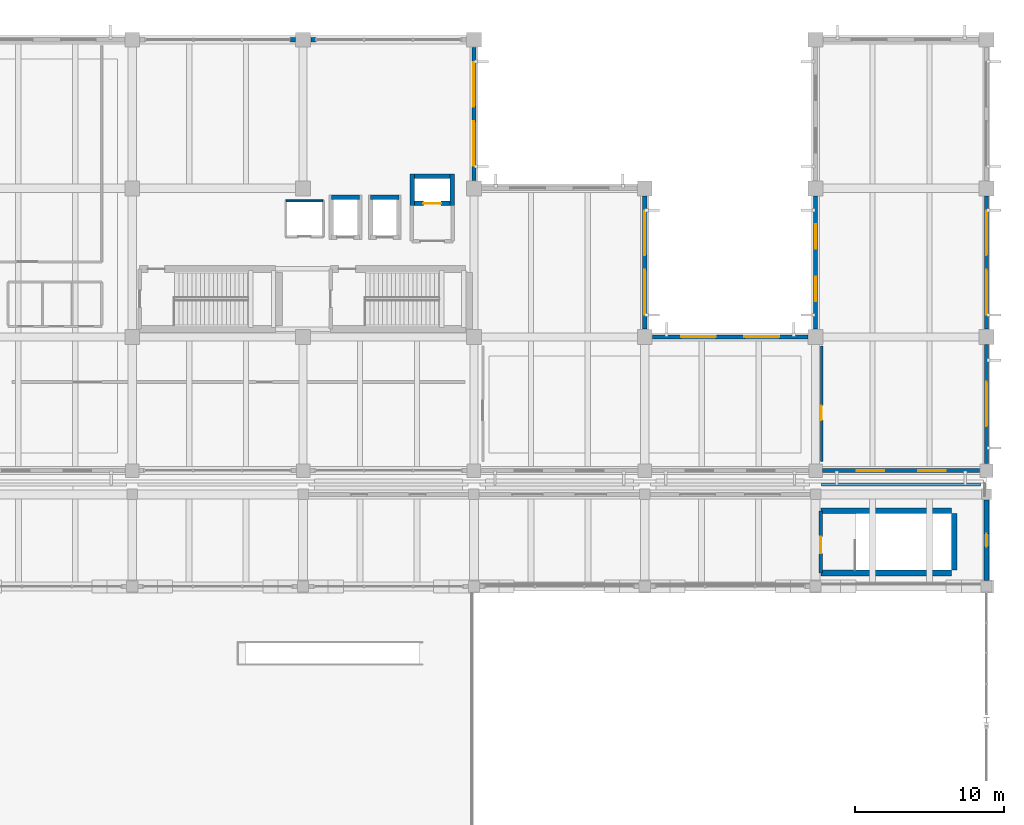
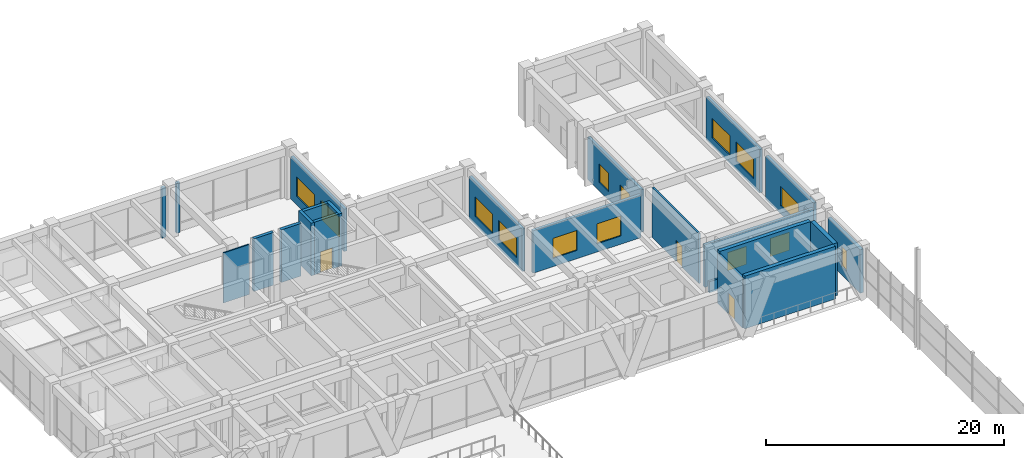
# One storey, part 133 of 148: 23 walls, 14 windows, 3 doors, 17 openings.
"""IFC4 building model written with IfcOpenShell, lengths in metres."""

import ifcopenshell
import ifcopenshell.guid

model = None  # the IFC model being written
_history = None  # IfcOwnerHistory: only IFC2X3 demands one
_inside = {}  # id of a spatial element -> (the spatial element, [elements in it])
_under = {}  # id of a project, library or spatial element -> (it, [spatial elements below it])
_declared = {}  # id of a project -> (the project, [libraries it declares])
_typed = {}  # id of a type object -> (the type object, [elements of that type])
_made_of = {}  # id of a material, layer set ... -> (it, [elements and type objects made of it])


def new_model(schema):
    """Start an empty IFC model of exactly this schema.

    Asked for "IFC4X3", IfcOpenShell would pick the latest addendum, in which some entities
    have other attributes; the version numbers below select the first issue.
    IFC2X3 requires an IfcOwnerHistory on every rooted entity: one is made here for all.
    """
    global model, _history
    if schema == "IFC4X3":
        model = ifcopenshell.file(schema_version=(4, 3, 0, 0))
    else:
        model = ifcopenshell.file(schema=schema)
    _inside.clear()
    _under.clear()
    _declared.clear()
    _typed.clear()
    _made_of.clear()
    _history = None
    if model.schema == "IFC2X3":
        org = make("IfcOrganization", Name="unknown")
        user = make(
            "IfcPersonAndOrganization",
            ThePerson=make("IfcPerson", FamilyName="unknown"),
            TheOrganization=org,
        )
        app = make(
            "IfcApplication",
            ApplicationDeveloper=org,
            Version="unknown",
            ApplicationFullName="unknown",
            ApplicationIdentifier="unknown",
        )
        _history = make(
            "IfcOwnerHistory",
            OwningUser=user,
            OwningApplication=app,
            ChangeAction="ADDED",
            CreationDate=0,
        )
    return model


def make(cls, **values):
    """One entity of the class cls with the attributes given. An attribute that is None is left unset."""
    return model.create_entity(
        cls, **{name: value for name, value in values.items() if value is not None}
    )


def rooted(cls, **values):
    """An entity with a GlobalId (a new one), such as an element, a storey or a relation."""
    return make(cls, GlobalId=ifcopenshell.guid.new(), OwnerHistory=_history, **values)


def si_unit(unit_type, name, prefix=None):
    """IfcSIUnit, for example si_unit("LENGTHUNIT", "METRE", prefix="MILLI")."""
    return make("IfcSIUnit", UnitType=unit_type, Prefix=prefix, Name=name)


def assignment(units):
    """IfcUnitAssignment: the units of a project."""
    return None if units is None else make("IfcUnitAssignment", Units=units)


def point(xyz):
    """IfcCartesianPoint."""
    return None if xyz is None else make("IfcCartesianPoint", Coordinates=xyz)


def direction(xyz):
    """IfcDirection."""
    return None if xyz is None else make("IfcDirection", DirectionRatios=xyz)


def frame(location, z_axis=None, x_axis=None):
    """IfcAxis2Placement3D, a coordinate frame: its origin and axes. An axis left out is left unset."""
    return make(
        "IfcAxis2Placement3D",
        Location=point(location),
        Axis=direction(z_axis),
        RefDirection=direction(x_axis),
    )


def frame_2d(location, x_axis=None):
    """IfcAxis2Placement2D, a coordinate frame in the plane: its origin and x axis."""
    return make(
        "IfcAxis2Placement2D", Location=point(location), RefDirection=direction(x_axis)
    )


def origin():
    """The frame at (0, 0, 0) with its axes left unset."""
    return frame((0.0, 0.0, 0.0))


def place(relative_to, where):
    """IfcLocalPlacement: puts the frame where relative to a parent placement (None: the world)."""
    return make(
        "IfcLocalPlacement", PlacementRelTo=relative_to, RelativePlacement=where
    )


def context(
    kind, dimensions, precision=None, world=None, true_north=None, identifier=None
):
    """IfcGeometricRepresentationContext, for example the 3D "Model" context."""
    return make(
        "IfcGeometricRepresentationContext",
        ContextIdentifier=identifier,
        ContextType=kind,
        CoordinateSpaceDimension=dimensions,
        Precision=precision,
        WorldCoordinateSystem=world,
        TrueNorth=true_north,
    )


def subcontext(parent, identifier, kind, view, scale=None):
    """IfcGeometricRepresentationSubContext, for example "Body" below "Model"."""
    return make(
        "IfcGeometricRepresentationSubContext",
        ContextIdentifier=identifier,
        ContextType=kind,
        ParentContext=parent,
        TargetScale=scale,
        TargetView=view,
    )


def project(units=None, contexts=None):
    """IfcProject with its units and contexts."""
    return rooted(
        "IfcProject",
        Name="project",
        RepresentationContexts=contexts,
        UnitsInContext=assignment(units),
    )


def spatial(cls, under=None, at=None, **own):
    """A site, building, storey or space (cls), placed at a placement, below another one or the project."""
    s = rooted(cls, ObjectPlacement=at, **own)
    if under is not None:
        _under.setdefault(under.id(), (under, []))[1].append(s)
    return s


def profile(cls, at=None, kind="AREA", **sizes):
    """A parametric profile (cls). Its sizes go by their IFC names, for example OverallWidth=200.0."""
    return make(cls, ProfileType=kind, Position=at, **sizes)


def rectangle(**sizes):
    """IfcRectangleProfileDef."""
    return profile("IfcRectangleProfileDef", **sizes)


def extrude(swept, where, along, depth):
    """IfcExtrudedAreaSolid: the profile swept, set in the frame where, extruded along a direction by depth."""
    return make(
        "IfcExtrudedAreaSolid",
        SweptArea=swept,
        Position=where,
        ExtrudedDirection=direction(along),
        Depth=depth,
    )


def shape(context_of_items, identifier, shape_type, items):
    """IfcShapeRepresentation: the items that make up one representation, for example the "Body"."""
    return make(
        "IfcShapeRepresentation",
        ContextOfItems=context_of_items,
        RepresentationIdentifier=identifier,
        RepresentationType=shape_type,
        Items=items,
    )


def material(Name=None, Category=None):
    """IfcMaterial."""
    return make("IfcMaterial", Name=Name, Category=Category)


def layer(
    of_material, thickness, ventilated=None, Name=None, Category=None, Priority=None
):
    """IfcMaterialLayer: one layer of a wall or slab, of a material (None: an air gap)."""
    return make(
        "IfcMaterialLayer",
        Material=of_material,
        LayerThickness=thickness,
        IsVentilated=ventilated,
        Name=Name,
        Category=Category,
        Priority=Priority,
    )


def layer_set(layers, Name=None):
    """IfcMaterialLayerSet."""
    return make("IfcMaterialLayerSet", MaterialLayers=layers, LayerSetName=Name)


def made_of(thing, what):
    """Note that an element or type object is made of a material, layer set ...; save() writes the relation."""
    if what is not None:
        _made_of.setdefault(what.id(), (what, []))[1].append(thing)
    return thing


def type_object(cls, material=None, **own):
    """A type object (cls), such as IfcWallType, which elements share."""
    return made_of(rooted(cls, **own), material)


def element(
    cls,
    number,
    at=None,
    inside=None,
    cuts=None,
    type_object=None,
    material=None,
    context=None,
    identifier="Body",
    shape_type=None,
    held_by="IfcProductDefinitionShape",
    body=None,
    shapes=None,
    **own,
):
    """One element of the class cls, such as IfcWall. Its Tag is "e" and its number.

    at: its placement. inside: the storey or other place that contains it. cuts: it is an
    opening in that element (IfcRelVoidsElement). A single representation is given by context,
    identifier, shape_type and body (its items); several are given by shapes. held_by: the class
    of the entity that holds the representations. save() writes the other relations.
    """
    e = rooted(cls, Tag="e%d" % number, ObjectPlacement=at, **own)
    if body is not None:
        shapes = [shape(context, identifier, shape_type, body)]
    if shapes is not None:
        e.Representation = make(held_by, Representations=shapes)
    if inside is not None:
        _inside.setdefault(inside.id(), (inside, []))[1].append(e)
    if cuts is not None:
        rooted(
            "IfcRelVoidsElement", RelatingBuildingElement=cuts, RelatedOpeningElement=e
        )
    if type_object is not None:
        _typed.setdefault(type_object.id(), (type_object, []))[1].append(e)
    return made_of(e, material)


def fill(opening, filler):
    """IfcRelFillsElement: the door or window that sits in an opening."""
    return rooted(
        "IfcRelFillsElement",
        RelatingOpeningElement=opening,
        RelatedBuildingElement=filler,
    )


def aggregate(whole, parts):
    """IfcRelAggregates: a whole, such as a stair, and the parts it consists of."""
    return rooted("IfcRelAggregates", RelatingObject=whole, RelatedObjects=parts)


def save(model, path):
    """Write the relations noted so far, then the file.

    IfcRelAggregates (storeys below a building ...), IfcRelContainedInSpatialStructure (elements
    in a storey), IfcRelDefinesByType, IfcRelAssociatesMaterial and IfcRelDeclares: one each for
    every whole, place, type object, material and project.
    """
    for whole, parts in _under.values():
        aggregate(whole, parts)
    for where, things in _inside.values():
        rooted(
            "IfcRelContainedInSpatialStructure",
            RelatedElements=things,
            RelatingStructure=where,
        )
    for kind, things in _typed.values():
        rooted("IfcRelDefinesByType", RelatedObjects=things, RelatingType=kind)
    for what, things in _made_of.values():
        rooted("IfcRelAssociatesMaterial", RelatedObjects=things, RelatingMaterial=what)
    for by, libraries in _declared.values():
        rooted("IfcRelDeclares", RelatingContext=by, RelatedDefinitions=libraries)
    model.write(path)


model = new_model("IFC4")

# Units and contexts
model_context = context("Model", 3, precision=1e-05, world=origin(), true_north=direction((0.0, 1.0)))
body_context = subcontext(model_context, "Body", "Model", "MODEL_VIEW")
ifc_project = project(units=[si_unit("LENGTHUNIT", "METRE"), si_unit("AREAUNIT", "SQUARE_METRE"), si_unit("VOLUMEUNIT", "CUBIC_METRE"), si_unit("PLANEANGLEUNIT", "RADIAN"), si_unit("MASSUNIT", "GRAM", prefix="KILO")], contexts=[model_context])

# Site, building, storey
site_placement = place(None, origin())
site = spatial("IfcSite", under=ifc_project, at=site_placement, CompositionType="ELEMENT")
building_placement = place(site_placement, origin())
building = spatial("IfcBuilding", under=site, at=building_placement, Name="Ologun Quay Terminus", CompositionType="ELEMENT")
storey_placement = place(building_placement, frame((0.0, 0.0, 8.39990234375)))
storey = spatial("IfcBuildingStorey", under=building, at=storey_placement, Name="L02", CompositionType="ELEMENT", Elevation=8.39990234375)

# Wall, openings, windows
ifc_material_1 = material(Name="Concrete C40/50", Category="concrete")
ifc_layer_1 = layer(ifc_material_1, 0.280029296875)
ifc_layer_set_1 = layer_set([ifc_layer_1], Name="Concrete C40/50")
wall_type_1 = type_object("IfcWallType", Name="Courtyard Wing Spandrel Concrete Wall 280", PredefinedType="SOLIDWALL", material=ifc_layer_set_1)
wall_1_placement = place(storey_placement, frame((172.969970703125, 85.800048828125, 0.0), z_axis=(0.0, 0.0, 1.0), x_axis=(1.0, 0.0, 0.0)))
wall_1 = element("IfcWall", 1, at=wall_1_placement, inside=storey, type_object=wall_type_1, Name="EW-02 Facade Wall WEW-EW-L02-6", PredefinedType="SOLIDWALL", context=body_context, shape_type="SweptSolid", body=[
    extrude(rectangle(XDim=10.56005859375, YDim=0.280029296875, at=frame_2d((5.280029296875, 0.0))), origin(), (0.0, 0.0, 1.0), 4.35009765625),
])
opening_1_placement = place(wall_1_placement, frame((2.28662109375, 0.0, 0.85009765625)))
opening_1 = element("IfcOpeningElement", 2, at=opening_1_placement, cuts=wall_1, Name="Opening WN-392", PredefinedType="OPENING", context=body_context, shape_type="SweptSolid", body=[
    extrude(rectangle(XDim=1.85009765625, YDim=1.85009765625, at=frame_2d((0.925048828125, 0.925048828125))), frame((0.0, 0.14990234375, 0.0), z_axis=(0.0, -1.0, 0.0), x_axis=(1.0, 0.0, 0.0)), (0.0, 0.0, 1.0), 0.300048828125),
])
opening_2_placement = place(wall_1_placement, frame((6.42333984375, 0.0, 0.85009765625)))
opening_2 = element("IfcOpeningElement", 3, at=opening_2_placement, cuts=wall_1, Name="Opening WN-393", PredefinedType="OPENING", context=body_context, shape_type="SweptSolid", body=[
    extrude(rectangle(XDim=1.85009765625, YDim=1.85009765625, at=frame_2d((0.925048828125, 0.925048828125))), frame((0.0, 0.14990234375, 0.0), z_axis=(0.0, -1.0, 0.0), x_axis=(1.0, 0.0, 0.0)), (0.0, 0.0, 1.0), 0.300048828125),
])
ifc_material_2 = material(Name="Glass", Category="glass")
window_type_1 = type_object("IfcWindowType", Name="SCADA Control Glazed Window 1850x1850", PartitioningType="SINGLE_PANEL", PredefinedType="WINDOW", material=ifc_material_2)
window_1_placement = place(opening_1_placement, origin())
window_1 = element("IfcWindow", 4, at=window_1_placement, inside=storey, type_object=window_type_1, Name="W-20 Window WN-392", OverallHeight=1.85009765625, OverallWidth=1.85009765625, PartitioningType="SINGLE_PANEL", PredefinedType="WINDOW", context=body_context, shape_type="SweptSolid", body=[
    extrude(rectangle(XDim=1.85009765625, YDim=1.85009765625, at=frame_2d((0.925048828125, 0.925048828125))), frame((0.0, 0.030029296875, 0.0), z_axis=(0.0, -1.0, 0.0), x_axis=(1.0, 0.0, 0.0)), (0.0, 0.0, 1.0), 0.06005859375),
])
fill(opening_1, window_1)
window_2_placement = place(opening_2_placement, origin())
window_2 = element("IfcWindow", 5, at=window_2_placement, inside=storey, type_object=window_type_1, Name="W-20 Window WN-393", OverallHeight=1.85009765625, OverallWidth=1.85009765625, PartitioningType="SINGLE_PANEL", PredefinedType="WINDOW", context=body_context, shape_type="SweptSolid", body=[
    extrude(rectangle(XDim=1.85009765625, YDim=1.85009765625, at=frame_2d((0.925048828125, 0.925048828125))), frame((0.0, 0.030029296875, 0.0), z_axis=(0.0, -1.0, 0.0), x_axis=(1.0, 0.0, 0.0)), (0.0, 0.0, 1.0), 0.06005859375),
])
fill(opening_2, window_2)

# Wall, opening, window
wall_2_placement = place(storey_placement, frame((184.0, 86.27001953125, 0.0), z_axis=(0.0, 0.0, 1.0), x_axis=(0.0, 1.0, 0.0)))
wall_2 = element("IfcWall", 6, at=wall_2_placement, inside=storey, type_object=wall_type_1, Name="EW-02 Facade Wall WEW-EW-L02-7", PredefinedType="SOLIDWALL", context=body_context, shape_type="SweptSolid", body=[
    extrude(rectangle(XDim=8.010009765625, YDim=0.280029296875, at=frame_2d((4.0048828125, 0.0))), origin(), (0.0, 0.0, 1.0), 4.4501953125),
])
opening_3_placement = place(wall_2_placement, frame((2.5048828125, 0.0, 0.85009765625)))
opening_3 = element("IfcOpeningElement", 7, at=opening_3_placement, cuts=wall_2, Name="Opening WN-394", PredefinedType="OPENING", context=body_context, shape_type="SweptSolid", body=[
    extrude(rectangle(XDim=3.0, YDim=2.0, at=frame_2d((1.5, 1.0))), frame((0.0, 0.14990234375, 0.0), z_axis=(0.0, -1.0, 0.0), x_axis=(1.0, 0.0, 0.0)), (0.0, 0.0, 1.0), 0.300048828125),
])
ifc_material_3 = material(Name="Glass", Category="glass")
window_type_2 = type_object("IfcWindowType", Name="Station Control Observation Window 3000x2000", PartitioningType="SINGLE_PANEL", PredefinedType="WINDOW", material=ifc_material_3)
window_3_placement = place(opening_3_placement, origin())
window_3 = element("IfcWindow", 8, at=window_3_placement, inside=storey, type_object=window_type_2, Name="W-09 Window WN-394", OverallHeight=2.0, OverallWidth=3.0, PartitioningType="SINGLE_PANEL", PredefinedType="WINDOW", context=body_context, shape_type="SweptSolid", body=[
    extrude(rectangle(XDim=3.0, YDim=2.0, at=frame_2d((1.5, 1.0))), frame((0.0, 0.030029296875, 0.0), z_axis=(0.0, -1.0, 0.0), x_axis=(1.0, 0.0, 0.0)), (0.0, 0.0, 1.0), 0.06005859375),
])
fill(opening_3, window_3)

# Wall, openings, windows
wall_3_placement = place(storey_placement, frame((184.0, 95.320068359375, 0.0), z_axis=(0.0, 0.0, 1.0), x_axis=(0.0, 1.0, 0.0)))
wall_3 = element("IfcWall", 9, at=wall_3_placement, inside=storey, type_object=wall_type_1, Name="EW-02 Facade Wall WEW-EW-L02-8", PredefinedType="SOLIDWALL", context=body_context, shape_type="SweptSolid", body=[
    extrude(rectangle(XDim=8.9599609375, YDim=0.280029296875, at=frame_2d((4.47998046875, 0.0))), origin(), (0.0, 0.0, 1.0), 4.4501953125),
])
opening_4_placement = place(wall_3_placement, frame((0.98681640625, 0.0, 0.85009765625)))
opening_4 = element("IfcOpeningElement", 10, at=opening_4_placement, cuts=wall_3, Name="Opening WN-395", PredefinedType="OPENING", context=body_context, shape_type="SweptSolid", body=[
    extrude(rectangle(XDim=3.0, YDim=2.0, at=frame_2d((1.5, 1.0))), frame((0.0, 0.14990234375, 0.0), z_axis=(0.0, -1.0, 0.0), x_axis=(1.0, 0.0, 0.0)), (0.0, 0.0, 1.0), 0.300048828125),
])
opening_5_placement = place(wall_3_placement, frame((4.973388671875, 0.0, 0.85009765625)))
opening_5 = element("IfcOpeningElement", 11, at=opening_5_placement, cuts=wall_3, Name="Opening WN-396", PredefinedType="OPENING", context=body_context, shape_type="SweptSolid", body=[
    extrude(rectangle(XDim=3.0, YDim=2.0, at=frame_2d((1.5, 1.0))), frame((0.0, 0.14990234375, 0.0), z_axis=(0.0, -1.0, 0.0), x_axis=(1.0, 0.0, 0.0)), (0.0, 0.0, 1.0), 0.300048828125),
])
window_4_placement = place(opening_4_placement, origin())
window_4 = element("IfcWindow", 12, at=window_4_placement, inside=storey, type_object=window_type_2, Name="W-09 Window WN-395", OverallHeight=2.0, OverallWidth=3.0, PartitioningType="SINGLE_PANEL", PredefinedType="WINDOW", context=body_context, shape_type="SweptSolid", body=[
    extrude(rectangle(XDim=3.0, YDim=2.0, at=frame_2d((1.5, 1.0))), frame((0.0, 0.030029296875, 0.0), z_axis=(0.0, -1.0, 0.0), x_axis=(1.0, 0.0, 0.0)), (0.0, 0.0, 1.0), 0.06005859375),
])
fill(opening_4, window_4)
window_5_placement = place(opening_5_placement, origin())
window_5 = element("IfcWindow", 13, at=window_5_placement, inside=storey, type_object=window_type_2, Name="W-09 Window WN-396", OverallHeight=2.0, OverallWidth=3.0, PartitioningType="SINGLE_PANEL", PredefinedType="WINDOW", context=body_context, shape_type="SweptSolid", body=[
    extrude(rectangle(XDim=3.0, YDim=2.0, at=frame_2d((1.5, 1.0))), frame((0.0, 0.030029296875, 0.0), z_axis=(0.0, -1.0, 0.0), x_axis=(1.0, 0.0, 0.0)), (0.0, 0.0, 1.0), 0.06005859375),
])
fill(opening_5, window_5)

wall_4_placement = place(storey_placement, frame((172.5, 95.320068359375, 0.0), z_axis=(0.0, 0.0, 1.0), x_axis=(0.0, 1.0, 0.0)))
wall_4 = element("IfcWall", 14, at=wall_4_placement, inside=storey, type_object=wall_type_1, Name="EW-02 Facade Wall WEW-EW-L02-11", PredefinedType="SOLIDWALL", context=body_context, shape_type="SweptSolid", body=[
    extrude(rectangle(XDim=8.9599609375, YDim=0.280029296875, at=frame_2d((4.47998046875, 0.0))), origin(), (0.0, 0.0, 1.0), 4.35009765625),
])
opening_6_placement = place(wall_4_placement, frame((1.88671875, 0.0, 0.85009765625)))
opening_6 = element("IfcOpeningElement", 15, at=opening_6_placement, cuts=wall_4, Name="Opening WN-401", PredefinedType="OPENING", context=body_context, shape_type="SweptSolid", body=[
    extrude(rectangle(XDim=1.64990234375, YDim=1.89990234375, at=frame_2d((0.824951171875, 0.949951171875))), frame((0.0, 0.14990234375, 0.0), z_axis=(0.0, -1.0, 0.0), x_axis=(1.0, 0.0, 0.0)), (0.0, 0.0, 1.0), 0.300048828125),
])
opening_7_placement = place(wall_4_placement, frame((5.42333984375, 0.0, 0.85009765625)))
opening_7 = element("IfcOpeningElement", 16, at=opening_7_placement, cuts=wall_4, Name="Opening WN-402", PredefinedType="OPENING", context=body_context, shape_type="SweptSolid", body=[
    extrude(rectangle(XDim=1.64990234375, YDim=1.89990234375, at=frame_2d((0.824951171875, 0.949951171875))), frame((0.0, 0.14990234375, 0.0), z_axis=(0.0, -1.0, 0.0), x_axis=(1.0, 0.0, 0.0)), (0.0, 0.0, 1.0), 0.300048828125),
])
ifc_material_4 = material(Name="Glass", Category="glass")
window_type_3 = type_object("IfcWindowType", Name="Operations Admin Solar Window 1650x1900", PartitioningType="SINGLE_PANEL", PredefinedType="WINDOW", material=ifc_material_4)
window_6_placement = place(opening_6_placement, origin())
window_6 = element("IfcWindow", 17, at=window_6_placement, inside=storey, type_object=window_type_3, Name="W-21 Window WN-401", OverallHeight=1.89990234375, OverallWidth=1.64990234375, PartitioningType="SINGLE_PANEL", PredefinedType="WINDOW", context=body_context, shape_type="SweptSolid", body=[
    extrude(rectangle(XDim=1.64990234375, YDim=1.89990234375, at=frame_2d((0.824951171875, 0.949951171875))), frame((0.0, 0.030029296875, 0.0), z_axis=(0.0, -1.0, 0.0), x_axis=(1.0, 0.0, 0.0)), (0.0, 0.0, 1.0), 0.06005859375),
])
fill(opening_6, window_6)
window_7_placement = place(opening_7_placement, origin())
window_7 = element("IfcWindow", 18, at=window_7_placement, inside=storey, type_object=window_type_3, Name="W-21 Window WN-402", OverallHeight=1.89990234375, OverallWidth=1.64990234375, PartitioningType="SINGLE_PANEL", PredefinedType="WINDOW", context=body_context, shape_type="SweptSolid", body=[
    extrude(rectangle(XDim=1.64990234375, YDim=1.89990234375, at=frame_2d((0.824951171875, 0.949951171875))), frame((0.0, 0.030029296875, 0.0), z_axis=(0.0, -1.0, 0.0), x_axis=(1.0, 0.0, 0.0)), (0.0, 0.0, 1.0), 0.06005859375),
])
fill(opening_7, window_7)

wall_5_placement = place(storey_placement, frame((161.52001953125, 94.800048828125, 0.0), z_axis=(0.0, 0.0, 1.0), x_axis=(1.0, 0.0, 0.0)))
wall_5 = element("IfcWall", 19, at=wall_5_placement, inside=storey, type_object=wall_type_1, Name="EW-02 Facade Wall WEW-EW-L02-13", PredefinedType="SOLIDWALL", context=body_context, shape_type="SweptSolid", body=[
    extrude(rectangle(XDim=10.4599609375, YDim=0.280029296875, at=frame_2d((5.22998046875, 0.0))), origin(), (0.0, 0.0, 1.0), 4.35009765625),
])
opening_8_placement = place(wall_5_placement, frame((1.919921875, 0.0, 0.85009765625)))
opening_8 = element("IfcOpeningElement", 20, at=opening_8_placement, cuts=wall_5, Name="Opening WN-405", PredefinedType="OPENING", context=body_context, shape_type="SweptSolid", body=[
    extrude(rectangle(XDim=2.35009765625, YDim=2.050048828125, at=frame_2d((1.175048828125, 1.02490234375))), frame((0.0, 0.14990234375, 0.0), z_axis=(0.0, -1.0, 0.0), x_axis=(1.0, 0.0, 0.0)), (0.0, 0.0, 1.0), 0.300048828125),
])
opening_9_placement = place(wall_5_placement, frame((6.18994140625, 0.0, 0.85009765625)))
opening_9 = element("IfcOpeningElement", 21, at=opening_9_placement, cuts=wall_5, Name="Opening WN-406", PredefinedType="OPENING", context=body_context, shape_type="SweptSolid", body=[
    extrude(rectangle(XDim=2.35009765625, YDim=2.050048828125, at=frame_2d((1.175048828125, 1.02490234375))), frame((0.0, 0.14990234375, 0.0), z_axis=(0.0, -1.0, 0.0), x_axis=(1.0, 0.0, 0.0)), (0.0, 0.0, 1.0), 0.300048828125),
])
ifc_material_5 = material(Name="Glass", Category="glass")
window_type_4 = type_object("IfcWindowType", Name="Traffic Control Acoustic Window 2350x2050", PartitioningType="SINGLE_PANEL", PredefinedType="WINDOW", material=ifc_material_5)
window_8_placement = place(opening_8_placement, origin())
window_8 = element("IfcWindow", 22, at=window_8_placement, inside=storey, type_object=window_type_4, Name="W-19 Window WN-405", OverallHeight=2.050048828125, OverallWidth=2.35009765625, PartitioningType="SINGLE_PANEL", PredefinedType="WINDOW", context=body_context, shape_type="SweptSolid", body=[
    extrude(rectangle(XDim=2.35009765625, YDim=2.050048828125, at=frame_2d((1.175048828125, 1.02490234375))), frame((0.0, 0.030029296875, 0.0), z_axis=(0.0, -1.0, 0.0), x_axis=(1.0, 0.0, 0.0)), (0.0, 0.0, 1.0), 0.06005859375),
])
fill(opening_8, window_8)
window_9_placement = place(opening_9_placement, origin())
window_9 = element("IfcWindow", 23, at=window_9_placement, inside=storey, type_object=window_type_4, Name="W-19 Window WN-406", OverallHeight=2.050048828125, OverallWidth=2.35009765625, PartitioningType="SINGLE_PANEL", PredefinedType="WINDOW", context=body_context, shape_type="SweptSolid", body=[
    extrude(rectangle(XDim=2.35009765625, YDim=2.050048828125, at=frame_2d((1.175048828125, 1.02490234375))), frame((0.0, 0.030029296875, 0.0), z_axis=(0.0, -1.0, 0.0), x_axis=(1.0, 0.0, 0.0)), (0.0, 0.0, 1.0), 0.06005859375),
])
fill(opening_9, window_9)

wall_6_placement = place(storey_placement, frame((161.0, 95.320068359375, 0.0), z_axis=(0.0, 0.0, 1.0), x_axis=(0.0, 1.0, 0.0)))
wall_6 = element("IfcWall", 24, at=wall_6_placement, inside=storey, type_object=wall_type_1, Name="EW-02 Facade Wall WEW-EW-L02-14", PredefinedType="SOLIDWALL", context=body_context, shape_type="SweptSolid", body=[
    extrude(rectangle(XDim=8.9599609375, YDim=0.280029296875, at=frame_2d((4.47998046875, 0.0))), origin(), (0.0, 0.0, 1.0), 4.35009765625),
])
opening_10_placement = place(wall_6_placement, frame((0.98681640625, 0.0, 0.85009765625)))
opening_10 = element("IfcOpeningElement", 25, at=opening_10_placement, cuts=wall_6, Name="Opening WN-407", PredefinedType="OPENING", context=body_context, shape_type="SweptSolid", body=[
    extrude(rectangle(XDim=3.0, YDim=2.0, at=frame_2d((1.5, 1.0))), frame((0.0, 0.14990234375, 0.0), z_axis=(0.0, -1.0, 0.0), x_axis=(1.0, 0.0, 0.0)), (0.0, 0.0, 1.0), 0.300048828125),
])
opening_11_placement = place(wall_6_placement, frame((4.973388671875, 0.0, 0.85009765625)))
opening_11 = element("IfcOpeningElement", 26, at=opening_11_placement, cuts=wall_6, Name="Opening WN-408", PredefinedType="OPENING", context=body_context, shape_type="SweptSolid", body=[
    extrude(rectangle(XDim=3.0, YDim=2.0, at=frame_2d((1.5, 1.0))), frame((0.0, 0.14990234375, 0.0), z_axis=(0.0, -1.0, 0.0), x_axis=(1.0, 0.0, 0.0)), (0.0, 0.0, 1.0), 0.300048828125),
])
window_10_placement = place(opening_10_placement, origin())
window_10 = element("IfcWindow", 27, at=window_10_placement, inside=storey, type_object=window_type_2, Name="W-09 Window WN-407", OverallHeight=2.0, OverallWidth=3.0, PartitioningType="SINGLE_PANEL", PredefinedType="WINDOW", context=body_context, shape_type="SweptSolid", body=[
    extrude(rectangle(XDim=3.0, YDim=2.0, at=frame_2d((1.5, 1.0))), frame((0.0, 0.030029296875, 0.0), z_axis=(0.0, -1.0, 0.0), x_axis=(1.0, 0.0, 0.0)), (0.0, 0.0, 1.0), 0.06005859375),
])
fill(opening_10, window_10)
window_11_placement = place(opening_11_placement, origin())
window_11 = element("IfcWindow", 28, at=window_11_placement, inside=storey, type_object=window_type_2, Name="W-09 Window WN-408", OverallHeight=2.0, OverallWidth=3.0, PartitioningType="SINGLE_PANEL", PredefinedType="WINDOW", context=body_context, shape_type="SweptSolid", body=[
    extrude(rectangle(XDim=3.0, YDim=2.0, at=frame_2d((1.5, 1.0))), frame((0.0, 0.030029296875, 0.0), z_axis=(0.0, -1.0, 0.0), x_axis=(1.0, 0.0, 0.0)), (0.0, 0.0, 1.0), 0.06005859375),
])
fill(opening_11, window_11)

wall_7_placement = place(storey_placement, frame((149.5, 105.320068359375, 0.0), z_axis=(0.0, 0.0, 1.0), x_axis=(0.0, 1.0, 0.0)))
wall_7 = element("IfcWall", 29, at=wall_7_placement, inside=storey, type_object=wall_type_1, Name="EW-02 Facade Wall WEW-EW-L02-16", PredefinedType="SOLIDWALL", context=body_context, shape_type="SweptSolid", body=[
    extrude(rectangle(XDim=8.9599609375, YDim=0.280029296875, at=frame_2d((4.47998046875, 0.0))), origin(), (0.0, 0.0, 1.0), 4.35009765625),
])
opening_12_placement = place(wall_7_placement, frame((0.98681640625, 0.0, 0.85009765625)))
opening_12 = element("IfcOpeningElement", 30, at=opening_12_placement, cuts=wall_7, Name="Opening WN-411", PredefinedType="OPENING", context=body_context, shape_type="SweptSolid", body=[
    extrude(rectangle(XDim=3.0, YDim=2.0, at=frame_2d((1.5, 1.0))), frame((0.0, 0.14990234375, 0.0), z_axis=(0.0, -1.0, 0.0), x_axis=(1.0, 0.0, 0.0)), (0.0, 0.0, 1.0), 0.300048828125),
])
opening_13_placement = place(wall_7_placement, frame((4.973388671875, 0.0, 0.85009765625)))
opening_13 = element("IfcOpeningElement", 31, at=opening_13_placement, cuts=wall_7, Name="Opening WN-412", PredefinedType="OPENING", context=body_context, shape_type="SweptSolid", body=[
    extrude(rectangle(XDim=3.0, YDim=2.0, at=frame_2d((1.5, 1.0))), frame((0.0, 0.14990234375, 0.0), z_axis=(0.0, -1.0, 0.0), x_axis=(1.0, 0.0, 0.0)), (0.0, 0.0, 1.0), 0.300048828125),
])
window_12_placement = place(opening_12_placement, origin())
window_12 = element("IfcWindow", 32, at=window_12_placement, inside=storey, type_object=window_type_2, Name="W-09 Window WN-411", OverallHeight=2.0, OverallWidth=3.0, PartitioningType="SINGLE_PANEL", PredefinedType="WINDOW", context=body_context, shape_type="SweptSolid", body=[
    extrude(rectangle(XDim=3.0, YDim=2.0, at=frame_2d((1.5, 1.0))), frame((0.0, 0.030029296875, 0.0), z_axis=(0.0, -1.0, 0.0), x_axis=(1.0, 0.0, 0.0)), (0.0, 0.0, 1.0), 0.06005859375),
])
fill(opening_12, window_12)
window_13_placement = place(opening_13_placement, origin())
window_13 = element("IfcWindow", 33, at=window_13_placement, inside=storey, type_object=window_type_2, Name="W-09 Window WN-412", OverallHeight=2.0, OverallWidth=3.0, PartitioningType="SINGLE_PANEL", PredefinedType="WINDOW", context=body_context, shape_type="SweptSolid", body=[
    extrude(rectangle(XDim=3.0, YDim=2.0, at=frame_2d((1.5, 1.0))), frame((0.0, 0.030029296875, 0.0), z_axis=(0.0, -1.0, 0.0), x_axis=(1.0, 0.0, 0.0)), (0.0, 0.0, 1.0), 0.06005859375),
])
fill(opening_13, window_13)

# Walls
for number, where, z_axis, x_axis, name in (
    (34, (137.1298828125, 114.800048828125, 0.0), (0.0, 0.0, 1.0), (1.0, 0.0, 0.0), "Curtain Wall Jamb Pier CW-L02-133-J2"),
    (35, (138.52001953125, 114.800048828125, 0.0), (0.0, 0.0, 1.0), (1.0, 0.0, 0.0), "Curtain Wall Jamb Pier CW-L02-134-J1"),
):
    element("IfcWall", number, at=place(storey_placement, frame(where, z_axis=z_axis, x_axis=x_axis)), inside=storey, type_object=wall_type_1, Name=name, PredefinedType="SOLIDWALL", context=body_context, shape_type="SweptSolid", body=[
        extrude(rectangle(XDim=0.35009765625, YDim=0.280029296875, at=frame_2d((0.175048828125, 0.0))), origin(), (0.0, 0.0, 1.0), 5.130126953125),
    ])

# Wall, opening, door
ifc_material_6 = material(Name="Concrete C40/50", Category="concrete")
ifc_layer_2 = layer(ifc_material_6, 0.239990234375)
ifc_layer_set_2 = layer_set([ifc_layer_2], Name="Concrete C40/50")
wall_type_2 = type_object("IfcWallType", Name="Fire Compartment Blockwork Wall 240", PredefinedType="SOLIDWALL", material=ifc_layer_set_2)
wall_8_placement = place(storey_placement, frame((172.85009765625, 78.919921875, 0.0), z_axis=(0.0, 0.0, 1.0), x_axis=(0.0, 1.0, 0.0)))
wall_8 = element("IfcWall", 36, at=wall_8_placement, inside=storey, type_object=wall_type_2, Name="PW-01 Partition ST-NG2-W", PredefinedType="SOLIDWALL", context=body_context, shape_type="SweptSolid", body=[
    extrude(rectangle(XDim=4.16015625, YDim=0.239990234375, at=frame_2d((2.080078125, 0.0))), origin(), (0.0, 0.0, 1.0), 5.1201171875),
])
opening_14_placement = place(wall_8_placement, frame((1.300048828125, 0.0, 0.0)))
opening_14 = element("IfcOpeningElement", 37, at=opening_14_placement, cuts=wall_8, Name="Opening ID-283", PredefinedType="OPENING", context=body_context, shape_type="SweptSolid", body=[
    extrude(rectangle(XDim=1.1298828125, YDim=2.14990234375, at=frame_2d((0.56494140625, 1.074951171875))), frame((0.0, 0.1298828125, 0.0), z_axis=(0.0, -1.0, 0.0), x_axis=(1.0, 0.0, 0.0)), (0.0, 0.0, 1.0), 0.260009765625),
])
ifc_material_7 = material(Name="Steel S355", Category="steel")
door_type_1 = type_object("IfcDoorType", Name="Stairwell Fire Escape Door 1130x2150", OperationType="SINGLE_SWING_LEFT", PredefinedType="DOOR", material=ifc_material_7)
door_1_placement = place(opening_14_placement, frame((0.56494140625, 0.0, 0.0), z_axis=(0.0, 0.0, 1.0), x_axis=(-1.0, 0.0, 0.0)))
door_1 = element("IfcDoor", 38, at=door_1_placement, inside=storey, type_object=door_type_1, Name="FD-01 Door ID-283", OperationType="SINGLE_SWING_LEFT", OverallHeight=2.14990234375, OverallWidth=1.1298828125, PredefinedType="DOOR", context=body_context, shape_type="SweptSolid", body=[
    extrude(rectangle(XDim=1.1298828125, YDim=2.14990234375, at=frame_2d((0.0, 1.074951171875))), frame((0.0, 0.02490234375, 0.0), z_axis=(0.0, -1.0, 0.0), x_axis=(1.0, 0.0, 0.0)), (0.0, 0.0, 1.0), 0.050048828125),
])
fill(opening_14, door_1)

ifc_material_8 = material(Name="Concrete C40/50", Category="concrete")
ifc_layer_3 = layer(ifc_material_8, 0.300048828125)
ifc_layer_set_3 = layer_set([ifc_layer_3], Name="Concrete C40/50")
wall_type_3 = type_object("IfcWallType", Name="Lift Shaft Structural Shear Wall 300", PredefinedType="SHEAR", material=ifc_layer_set_3)
wall_9_placement = place(storey_placement, frame((145.35009765625, 103.780029296875, 0.0), z_axis=(0.0, 0.0, 1.0), x_axis=(1.0, 0.0, 0.0)))
wall_9 = element("IfcWall", 39, at=wall_9_placement, inside=storey, type_object=wall_type_3, Name="Lift FFL-02 Shaft Wall S L02", PredefinedType="SHEAR", context=body_context, shape_type="SweptSolid", body=[
    extrude(rectangle(XDim=2.699951171875, YDim=0.300048828125, at=frame_2d((1.35009765625, 0.0))), origin(), (0.0, 0.0, 1.0), 5.400146484375),
])
opening_15_placement = place(wall_9_placement, frame((0.75, 0.0, 0.0)))
opening_15 = element("IfcOpeningElement", 40, at=opening_15_placement, cuts=wall_9, Name="Opening ID-012", PredefinedType="OPENING", context=body_context, shape_type="SweptSolid", body=[
    extrude(rectangle(XDim=1.199951171875, YDim=2.14990234375, at=frame_2d((0.60009765625, 1.074951171875))), frame((0.0, 0.16015625, 0.0), z_axis=(0.0, -1.0, 0.0), x_axis=(1.0, 0.0, 0.0)), (0.0, 0.0, 1.0), 0.320068359375),
])
ifc_material_9 = material(Name="Steel S355", Category="steel")
door_type_2 = type_object("IfcDoorType", Name="Firefighting Lift Landing Sliding Door 1200x2150", OperationType="SLIDING_TO_RIGHT", PredefinedType="DOOR", material=ifc_material_9)
door_2_placement = place(opening_15_placement, origin())
door_2 = element("IfcDoor", 41, at=door_2_placement, inside=storey, type_object=door_type_2, Name="LD-02 Door ID-012", OperationType="SLIDING_TO_RIGHT", OverallHeight=2.14990234375, OverallWidth=1.199951171875, PredefinedType="DOOR", context=body_context, shape_type="SweptSolid", body=[
    extrude(rectangle(XDim=1.199951171875, YDim=2.14990234375, at=frame_2d((0.60009765625, 1.074951171875))), frame((0.0, 0.02490234375, 0.0), z_axis=(0.0, -1.0, 0.0), x_axis=(1.0, 0.0, 0.0)), (0.0, 0.0, 1.0), 0.050048828125),
])
fill(opening_15, door_2)

# Walls
wall_10_placement = place(storey_placement, frame((145.35009765625, 105.6201171875, 0.0), z_axis=(0.0, 0.0, 1.0), x_axis=(1.0, 0.0, 0.0)))
element("IfcWall", 42, at=wall_10_placement, inside=storey, type_object=wall_type_3, Name="Lift FFL-02 Shaft Wall N L02", PredefinedType="SHEAR", context=body_context, shape_type="SweptSolid", body=[
    extrude(rectangle(XDim=2.699951171875, YDim=0.300048828125, at=frame_2d((1.35009765625, 0.0))), origin(), (0.0, 0.0, 1.0), 5.400146484375),
])
for number, where, z_axis, x_axis, name in (
    (43, (145.35009765625, 103.6298828125, 0.0), (0.0, 0.0, 1.0), (0.0, 1.0, 0.0), "Lift FFL-02 Shaft Wall W L02"),
    (44, (148.050048828125, 103.6298828125, 0.0), (0.0, 0.0, 1.0), (0.0, 1.0, 0.0), "Lift FFL-02 Shaft Wall E L02"),
):
    element("IfcWall", number, at=place(storey_placement, frame(where, z_axis=z_axis, x_axis=x_axis)), inside=storey, type_object=wall_type_3, Name=name, PredefinedType="SHEAR", context=body_context, shape_type="SweptSolid", body=[
        extrude(rectangle(XDim=2.14013671875, YDim=0.300048828125, at=frame_2d((1.070068359375, 0.0))), origin(), (0.0, 0.0, 1.0), 5.400146484375),
    ])
wall_11_placement = place(storey_placement, frame((139.89990234375, 104.199951171875, 0.0), z_axis=(0.0, 0.0, 1.0), x_axis=(1.0, 0.0, 0.0)))
element("IfcWall", 45, at=wall_11_placement, inside=storey, type_object=wall_type_3, Name="Lift PL-E1 Shaft Wall N L02", PredefinedType="SHEAR", context=body_context, shape_type="SweptSolid", body=[
    extrude(rectangle(XDim=1.900146484375, YDim=0.300048828125, at=frame_2d((0.9501953125, 0.0))), origin(), (0.0, 0.0, 1.0), 5.400146484375),
])
wall_12_placement = place(storey_placement, frame((142.550048828125, 104.199951171875, 0.0), z_axis=(0.0, 0.0, 1.0), x_axis=(1.0, 0.0, 0.0)))
element("IfcWall", 46, at=wall_12_placement, inside=storey, type_object=wall_type_3, Name="Lift PL-E2 Shaft Wall N L02", PredefinedType="SHEAR", context=body_context, shape_type="SweptSolid", body=[
    extrude(rectangle(XDim=1.89990234375, YDim=0.300048828125, at=frame_2d((0.949951171875, 0.0))), origin(), (0.0, 0.0, 1.0), 5.400146484375),
])
ifc_material_10 = material(Name="Concrete C40/50", Category="concrete")
ifc_layer_4 = layer(ifc_material_10, 0.18994140625)
ifc_layer_set_4 = layer_set([ifc_layer_4], Name="Concrete C40/50")
wall_type_4 = type_object("IfcWallType", Name="Movement Joint Weathering Upstand 190", PredefinedType="PARAPET", material=ifc_layer_set_4)
wall_13_placement = place(storey_placement, frame((172.89990234375, 84.860107421875, 0.0), z_axis=(0.0, 0.0, 1.0), x_axis=(1.0, 0.0, 0.0)))
element("IfcWall", 47, at=wall_13_placement, inside=storey, type_object=wall_type_4, Name="EW-07 Movement Joint Upstand L02-16", PredefinedType="PARAPET", context=body_context, shape_type="SweptSolid", body=[
    extrude(rectangle(XDim=10.7001953125, YDim=0.18994140625, at=frame_2d((5.35009765625, 0.0))), origin(), (0.0, 0.0, 1.0), 1.150146484375),
])

# Wall, opening, door
ifc_material_11 = material(Name="Gypsum Acoustic Stud")
ifc_layer_5 = layer(ifc_material_11, 0.175048828125)
ifc_layer_set_5 = layer_set([ifc_layer_5], Name="Gypsum Acoustic Stud")
wall_type_5 = type_object("IfcWallType", Name="Operations & Control Acoustic Partition 175", PredefinedType="PARTITIONING", material=ifc_layer_set_5)
wall_14_placement = place(storey_placement, frame((172.89990234375, 86.39990234375, 0.0), z_axis=(0.0, 0.0, 1.0), x_axis=(0.0, 1.0, 0.0)))
wall_14 = element("IfcWall", 48, at=wall_14_placement, inside=storey, type_object=wall_type_5, Name="PW-03 Partition L02-Telemetry-W", PredefinedType="PARTITIONING", context=body_context, shape_type="SweptSolid", body=[
    extrude(rectangle(XDim=7.800048828125, YDim=0.175048828125, at=frame_2d((3.89990234375, 0.0))), origin(), (0.0, 0.0, 1.0), 5.1201171875),
])
opening_16_placement = place(wall_14_placement, frame((2.800048828125, 0.0, 0.0)))
opening_16 = element("IfcOpeningElement", 49, at=opening_16_placement, cuts=wall_14, Name="Opening ID-322", PredefinedType="OPENING", context=body_context, shape_type="SweptSolid", body=[
    extrude(rectangle(XDim=0.97998046875, YDim=2.14990234375, at=frame_2d((0.489990234375, 1.074951171875))), frame((0.0, 0.09765625, 0.0), z_axis=(0.0, -1.0, 0.0), x_axis=(1.0, 0.0, 0.0)), (0.0, 0.0, 1.0), 0.195068359375),
])
ifc_material_12 = material(Name="Timber Hardwood", Category="wood")
door_type_3 = type_object("IfcDoorType", Name="Operations Room Acoustic Leaf 980x2150", OperationType="SINGLE_SWING_LEFT", PredefinedType="DOOR", material=ifc_material_12)
door_3_placement = place(opening_16_placement, origin())
door_3 = element("IfcDoor", 50, at=door_3_placement, inside=storey, type_object=door_type_3, Name="ID-01 Door ID-322", OperationType="SINGLE_SWING_LEFT", OverallHeight=2.14990234375, OverallWidth=0.97998046875, PredefinedType="DOOR", context=body_context, shape_type="SweptSolid", body=[
    extrude(rectangle(XDim=0.97998046875, YDim=2.14990234375, at=frame_2d((0.489990234375, 1.074951171875))), frame((0.0, 0.02490234375, 0.0), z_axis=(0.0, -1.0, 0.0), x_axis=(1.0, 0.0, 0.0)), (0.0, 0.0, 1.0), 0.050048828125),
])
fill(opening_16, door_3)

# Walls
ifc_material_13 = material(Name="Concrete C40/50", Category="concrete")
ifc_layer_6 = layer(ifc_material_13, 0.3798828125)
ifc_layer_set_6 = layer_set([ifc_layer_6], Name="Concrete C40/50")
wall_type_6 = type_object("IfcWallType", Name="Platform Spine Shear Wall 380", PredefinedType="SHEAR", material=ifc_layer_set_6)
for number, where, z_axis, x_axis, name in (
    (51, (172.85009765625, 78.909912109375, 0.0), (0.0, 0.0, 1.0), (1.0, 0.0, 0.0), "Station Core 6 S Shear Wall L02"),
    (52, (172.85009765625, 83.090087890625, 0.0), (0.0, 0.0, 1.0), (1.0, 0.0, 0.0), "Station Core 6 N Shear Wall L02"),
):
    element("IfcWall", number, at=place(storey_placement, frame(where, z_axis=z_axis, x_axis=x_axis)), inside=storey, type_object=wall_type_6, Name=name, PredefinedType="SHEAR", context=body_context, shape_type="SweptSolid", body=[
        extrude(rectangle(XDim=8.7998046875, YDim=0.3798828125, at=frame_2d((4.39990234375, 0.0))), origin(), (0.0, 0.0, 1.0), 5.400146484375),
    ])
wall_15_placement = place(storey_placement, frame((181.840087890625, 79.10009765625, 0.0), z_axis=(0.0, 0.0, 1.0), x_axis=(0.0, 1.0, 0.0)))
element("IfcWall", 53, at=wall_15_placement, inside=storey, type_object=wall_type_6, Name="Station Core 6 E Shear Wall L02", PredefinedType="SHEAR", context=body_context, shape_type="SweptSolid", body=[
    extrude(rectangle(XDim=3.7998046875, YDim=0.3798828125, at=frame_2d((1.89990234375, 0.0))), origin(), (0.0, 0.0, 1.0), 5.400146484375),
])

# Wall, opening, window
ifc_material_14 = material(Name="Concrete C40/50", Category="concrete")
ifc_layer_7 = layer(ifc_material_14, 0.320068359375)
ifc_layer_set_7 = layer_set([ifc_layer_7], Name="Concrete C40/50")
wall_type_7 = type_object("IfcWallType", Name="Podium Sculpted Concrete Facade Wall 320", PredefinedType="SOLIDWALL", material=ifc_layer_set_7)
wall_16_placement = place(storey_placement, frame((184.0, 78.39501953125, 0.0), z_axis=(0.0, 0.0, 1.0), x_axis=(0.0, 1.0, 0.0)))
wall_16 = element("IfcWall", 54, at=wall_16_placement, inside=storey, type_object=wall_type_7, Name="EW-01 Facade Wall WEW-NGAL-L02-E", PredefinedType="SOLIDWALL", context=body_context, shape_type="SweptSolid", body=[
    extrude(rectangle(XDim=5.43505859375, YDim=0.320068359375, at=frame_2d((2.717529296875, 0.0))), origin(), (0.0, 0.0, 1.0), 4.4501953125),
])
opening_17_placement = place(wall_16_placement, frame((2.267578125, 0.0, 0.85009765625)))
opening_17 = element("IfcOpeningElement", 55, at=opening_17_placement, cuts=wall_16, Name="Opening WN-107", PredefinedType="OPENING", context=body_context, shape_type="SweptSolid", body=[
    extrude(rectangle(XDim=0.89990234375, YDim=2.10009765625, at=frame_2d((0.449951171875, 1.050048828125))), frame((0.0, 0.169921875, 0.0), z_axis=(0.0, -1.0, 0.0), x_axis=(1.0, 0.0, 0.0)), (0.0, 0.0, 1.0), 0.340087890625),
])
ifc_material_15 = material(Name="Glass", Category="glass")
window_type_5 = type_object("IfcWindowType", Name="Stairwell Daylight Slot Window 900x2100", PartitioningType="SINGLE_PANEL", PredefinedType="WINDOW", material=ifc_material_15)
window_14_placement = place(opening_17_placement, origin())
window_14 = element("IfcWindow", 56, at=window_14_placement, inside=storey, type_object=window_type_5, Name="W-29 Window WN-107", OverallHeight=2.10009765625, OverallWidth=0.89990234375, PartitioningType="SINGLE_PANEL", PredefinedType="WINDOW", context=body_context, shape_type="SweptSolid", body=[
    extrude(rectangle(XDim=0.89990234375, YDim=2.10009765625, at=frame_2d((0.449951171875, 1.050048828125))), frame((0.0, 0.030029296875, 0.0), z_axis=(0.0, -1.0, 0.0), x_axis=(1.0, 0.0, 0.0)), (0.0, 0.0, 1.0), 0.06005859375),
])
fill(opening_17, window_14)

# Wall
ifc_material_16 = material(Name="Concrete C40/50", Category="concrete")
ifc_layer_8 = layer(ifc_material_16, 0.1298828125)
ifc_layer_set_8 = layer_set([ifc_layer_8], Name="Concrete C40/50")
wall_type_8 = type_object("IfcWallType", Name="Riser & Service Duct Wall 130", PredefinedType="PLUMBINGWALL", material=ifc_layer_set_8)
wall_17_placement = place(storey_placement, frame((136.85009765625, 103.949951171875, 0.0), z_axis=(0.0, 0.0, 1.0), x_axis=(1.0, 0.0, 0.0)))
element("IfcWall", 57, at=wall_17_placement, inside=storey, type_object=wall_type_8, Name="PW-07 Partition ERiser-N", PredefinedType="PLUMBINGWALL", context=body_context, shape_type="SweptSolid", body=[
    extrude(rectangle(XDim=2.5, YDim=0.1298828125, at=frame_2d((1.25, 0.0))), origin(), (0.0, 0.0, 1.0), 5.1201171875),
])

save(model, "model.ifc")
